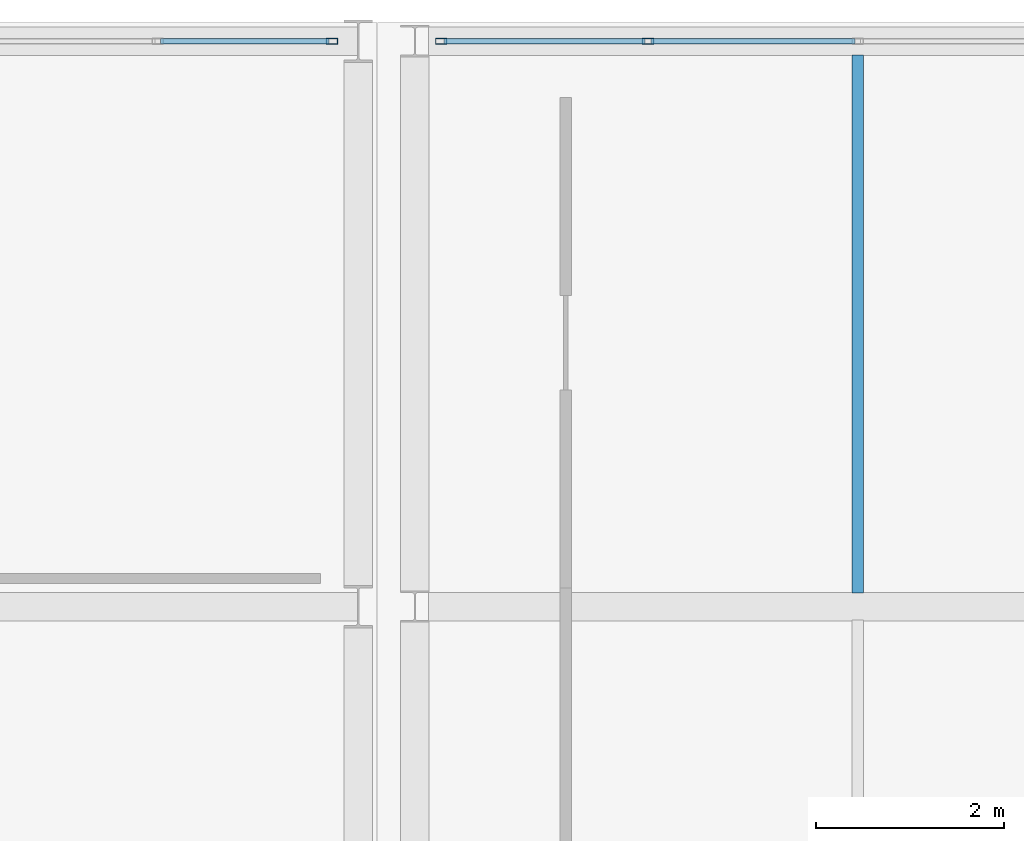
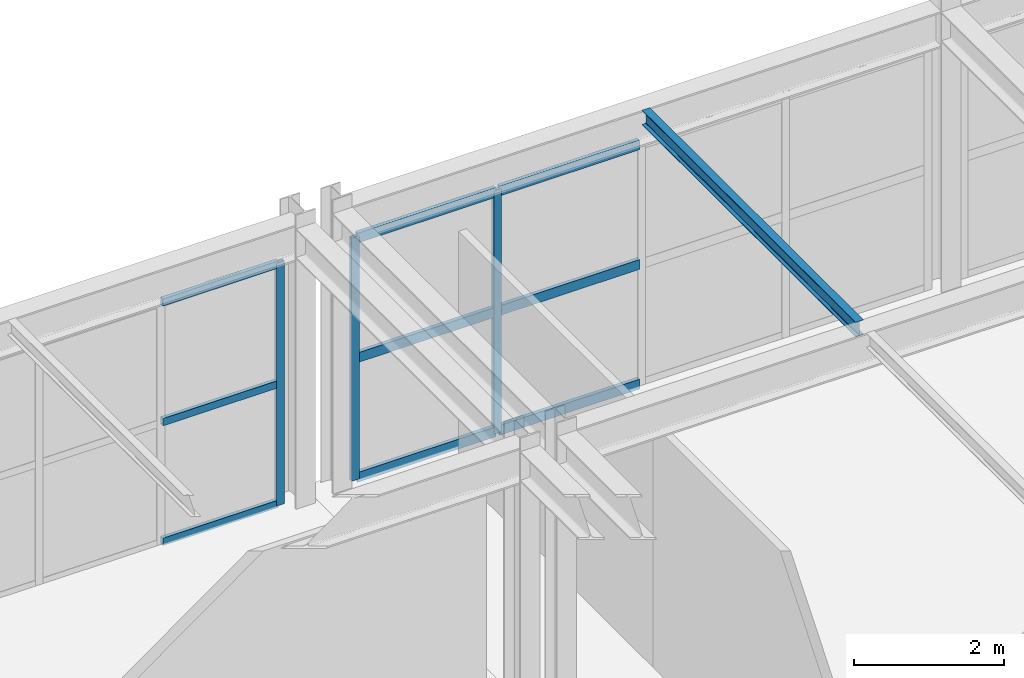
# One storey, part 83 of 112: 12 members, 1 beam, 2 elements without a shape of their own.
"""IFC4 building model written with IfcOpenShell, lengths in metres."""

from ifc_helpers import new_model, si_unit, direction, frame, origin, origin_2d, place, context, subcontext, project, spatial, hollow_rectangle, i_section, extrude, material, material_profile, profile_set, type_object, element, aggregate, save


model = new_model("IFC4")

# Units and contexts
model_context = context("Model", 3, precision=1e-05, world=origin(), true_north=direction((0.0, 1.0)))
body_context = subcontext(model_context, "Body", "Model", "MODEL_VIEW")
ifc_project = project(units=[si_unit("LENGTHUNIT", "METRE"), si_unit("AREAUNIT", "SQUARE_METRE"), si_unit("VOLUMEUNIT", "CUBIC_METRE"), si_unit("PLANEANGLEUNIT", "RADIAN"), si_unit("MASSUNIT", "GRAM", prefix="KILO")], contexts=[model_context])

# Site, building, storey
site_placement = place(None, origin())
site = spatial("IfcSite", under=ifc_project, at=site_placement, CompositionType="ELEMENT")
building_placement = place(site_placement, origin())
building = spatial("IfcBuilding", under=site, at=building_placement, Name="Kaldris Quays Convention Centre", CompositionType="ELEMENT")
storey_placement = place(building_placement, frame((0.0, 0.0, 16.800048828125)))
storey = spatial("IfcBuildingStorey", under=building, at=storey_placement, Name="L03", CompositionType="ELEMENT", Elevation=16.800048828125)

# Curtain wall, member
ifc_material_1 = material(Name="Anodized aluminium AW-6060 and triple glazing", Category="aluminium")
curtain_wall_type_1 = type_object("IfcCurtainWallType", Name="UNITISED CURTAIN WALL CW05", PredefinedType="NOTDEFINED", material=ifc_material_1)
curtain_wall_1_placement = place(storey_placement, origin())
curtain_wall_1 = element("IfcCurtainWall", 1, at=curtain_wall_1_placement, inside=storey, type_object=curtain_wall_type_1, Name="L03 Unitised Curtain Wall CW05 148", PredefinedType="NOTDEFINED")
ifc_material_2 = material(Name="Anodized aluminium AW-6060", Category="aluminium")
ifc_material_profile_1 = material_profile(ifc_material_2, hollow_rectangle(XDim=0.06005859375, YDim=0.1201171875, WallThickness=0.00390625, at=origin_2d()), Name="RHS 120x60x4")
ifc_profile_set_1 = profile_set([ifc_material_profile_1], Name="Anodized aluminium AW-6060")
member_type_1 = type_object("IfcMemberType", Name="CURTAIN MULLION CWM3", PredefinedType="MULLION", material=ifc_profile_set_1)
member_1_placement = place(storey_placement, frame((163.719970703125, 116.0, 0.0), z_axis=(0.0, 0.0, 1.0), x_axis=(0.0, 1.0, 0.0)))
member_1 = element("IfcMember", 2, at=member_1_placement, type_object=member_type_1, Name="CW05 mullion 10", PredefinedType="MULLION", context=body_context, shape_type="SweptSolid", body=[
    extrude(hollow_rectangle(XDim=0.06005859375, YDim=0.1201171875, WallThickness=0.00390625, at=origin_2d()), origin(), (0.0, 0.0, 1.0), 3.967041015625),
])

# Curtain wall, members
curtain_wall_type_2 = type_object("IfcCurtainWallType", Name="UNITISED CURTAIN WALL CW06", PredefinedType="NOTDEFINED", material=ifc_material_1)
curtain_wall_2_placement = place(storey_placement, origin())
curtain_wall_2 = element("IfcCurtainWall", 3, at=curtain_wall_2_placement, inside=storey, type_object=curtain_wall_type_2, Name="L03 Unitised Curtain Wall CW06 173", PredefinedType="NOTDEFINED")
member_2_placement = place(storey_placement, frame((164.8798828125, 116.0, 0.0), z_axis=(0.0, 0.0, 1.0), x_axis=(0.0, 1.0, 0.0)))
member_2 = element("IfcMember", 4, at=member_2_placement, type_object=member_type_1, Name="CW06 mullion 1", PredefinedType="MULLION", context=body_context, shape_type="SweptSolid", body=[
    extrude(hollow_rectangle(XDim=0.06005859375, YDim=0.1201171875, WallThickness=0.00390625, at=origin_2d()), origin(), (0.0, 0.0, 1.0), 3.967041015625),
])
member_3_placement = place(storey_placement, frame((167.074951171875, 116.0, 0.0), z_axis=(0.0, 0.0, 1.0), x_axis=(0.0, 1.0, 0.0)))
member_3 = element("IfcMember", 5, at=member_3_placement, type_object=member_type_1, Name="CW06 mullion 2", PredefinedType="MULLION", context=body_context, shape_type="SweptSolid", body=[
    extrude(hollow_rectangle(XDim=0.06005859375, YDim=0.1201171875, WallThickness=0.00390625, at=origin_2d()), origin(), (0.0, 0.0, 1.0), 3.967041015625),
])

# Member
ifc_material_profile_2 = material_profile(ifc_material_2, hollow_rectangle(XDim=0.06005859375, YDim=0.1201171875, WallThickness=0.00390625, at=origin_2d()), Name="RHS 120x60x4")
ifc_profile_set_2 = profile_set([ifc_material_profile_2], Name="Anodized aluminium AW-6060")
member_type_2 = type_object("IfcMemberType", Name="CURTAIN TRANSOM CWT1", PredefinedType="USERDEFINED", material=ifc_profile_set_2)
member_4_placement = place(storey_placement, frame((161.90234375, 116.0, 0.030029296875), z_axis=(1.0, 0.0, 0.0), x_axis=(0.0, 1.0, 0.0)))
member_4 = element("IfcMember", 6, at=member_4_placement, type_object=member_type_2, Name="CW05 transom 9.1", ObjectType="TRANSOM", PredefinedType="USERDEFINED", context=body_context, shape_type="SweptSolid", body=[
    extrude(hollow_rectangle(XDim=0.06005859375, YDim=0.1201171875, WallThickness=0.00390625, at=origin_2d()), origin(), (0.0, 0.0, 1.0), 1.78759765625),
])

member_5_placement = place(storey_placement, frame((161.90234375, 116.0, 1.98388671875), z_axis=(1.0, 0.0, 0.0), x_axis=(0.0, 1.0, 0.0)))
member_5 = element("IfcMember", 7, at=member_5_placement, type_object=member_type_2, Name="CW05 transom 9.2", ObjectType="TRANSOM", PredefinedType="USERDEFINED", context=body_context, shape_type="SweptSolid", body=[
    extrude(hollow_rectangle(XDim=0.06005859375, YDim=0.1201171875, WallThickness=0.00390625, at=origin_2d()), origin(), (0.0, 0.0, 1.0), 1.78759765625),
])

member_6_placement = place(storey_placement, frame((161.90234375, 116.0, 3.93701171875), z_axis=(1.0, 0.0, 0.0), x_axis=(0.0, 1.0, 0.0)))
member_6 = element("IfcMember", 8, at=member_6_placement, type_object=member_type_2, Name="CW05 transom 9.3", ObjectType="TRANSOM", PredefinedType="USERDEFINED", context=body_context, shape_type="SweptSolid", body=[
    extrude(hollow_rectangle(XDim=0.06005859375, YDim=0.1201171875, WallThickness=0.00390625, at=origin_2d()), origin(), (0.0, 0.0, 1.0), 1.78759765625),
])

aggregate(curtain_wall_1, [member_1, member_4, member_5, member_6])

ifc_material_profile_3 = material_profile(ifc_material_2, hollow_rectangle(XDim=0.06005859375, YDim=0.159912109375, WallThickness=0.00390625, at=origin_2d()), Name="RHS 160x60x4")
ifc_profile_set_3 = profile_set([ifc_material_profile_3], Name="Anodized aluminium AW-6060")
member_type_3 = type_object("IfcMemberType", Name="CURTAIN TRANSOM CWT2", PredefinedType="USERDEFINED", material=ifc_profile_set_3)
member_7_placement = place(storey_placement, frame((164.909912109375, 116.0, 0.030029296875), z_axis=(1.0, 0.0, 0.0), x_axis=(0.0, 1.0, 0.0)))
member_7 = element("IfcMember", 9, at=member_7_placement, type_object=member_type_3, Name="CW06 transom 1.1", ObjectType="TRANSOM", PredefinedType="USERDEFINED", context=body_context, shape_type="SweptSolid", body=[
    extrude(hollow_rectangle(XDim=0.06005859375, YDim=0.159912109375, WallThickness=0.00390625, at=origin_2d()), origin(), (0.0, 0.0, 1.0), 2.135009765625),
])

member_8_placement = place(storey_placement, frame((164.909912109375, 116.0, 1.98388671875), z_axis=(1.0, 0.0, 0.0), x_axis=(0.0, 1.0, 0.0)))
member_8 = element("IfcMember", 10, at=member_8_placement, type_object=member_type_3, Name="CW06 transom 1.2", ObjectType="TRANSOM", PredefinedType="USERDEFINED", context=body_context, shape_type="SweptSolid", body=[
    extrude(hollow_rectangle(XDim=0.06005859375, YDim=0.159912109375, WallThickness=0.00390625, at=origin_2d()), origin(), (0.0, 0.0, 1.0), 2.135009765625),
])

member_9_placement = place(storey_placement, frame((164.909912109375, 116.0, 3.93701171875), z_axis=(1.0, 0.0, 0.0), x_axis=(0.0, 1.0, 0.0)))
member_9 = element("IfcMember", 11, at=member_9_placement, type_object=member_type_3, Name="CW06 transom 1.3", ObjectType="TRANSOM", PredefinedType="USERDEFINED", context=body_context, shape_type="SweptSolid", body=[
    extrude(hollow_rectangle(XDim=0.06005859375, YDim=0.159912109375, WallThickness=0.00390625, at=origin_2d()), origin(), (0.0, 0.0, 1.0), 2.135009765625),
])

member_10_placement = place(storey_placement, frame((167.10498046875, 116.0, 0.030029296875), z_axis=(1.0, 0.0, 0.0), x_axis=(0.0, 1.0, 0.0)))
member_10 = element("IfcMember", 12, at=member_10_placement, type_object=member_type_3, Name="CW06 transom 2.1", ObjectType="TRANSOM", PredefinedType="USERDEFINED", context=body_context, shape_type="SweptSolid", body=[
    extrude(hollow_rectangle(XDim=0.06005859375, YDim=0.159912109375, WallThickness=0.00390625, at=origin_2d()), origin(), (0.0, 0.0, 1.0), 2.1650390625),
])

member_11_placement = place(storey_placement, frame((167.10498046875, 116.0, 1.98388671875), z_axis=(1.0, 0.0, 0.0), x_axis=(0.0, 1.0, 0.0)))
member_11 = element("IfcMember", 13, at=member_11_placement, type_object=member_type_3, Name="CW06 transom 2.2", ObjectType="TRANSOM", PredefinedType="USERDEFINED", context=body_context, shape_type="SweptSolid", body=[
    extrude(hollow_rectangle(XDim=0.06005859375, YDim=0.159912109375, WallThickness=0.00390625, at=origin_2d()), origin(), (0.0, 0.0, 1.0), 2.1650390625),
])

member_12_placement = place(storey_placement, frame((167.10498046875, 116.0, 3.93701171875), z_axis=(1.0, 0.0, 0.0), x_axis=(0.0, 1.0, 0.0)))
member_12 = element("IfcMember", 14, at=member_12_placement, type_object=member_type_3, Name="CW06 transom 2.3", ObjectType="TRANSOM", PredefinedType="USERDEFINED", context=body_context, shape_type="SweptSolid", body=[
    extrude(hollow_rectangle(XDim=0.06005859375, YDim=0.159912109375, WallThickness=0.00390625, at=origin_2d()), origin(), (0.0, 0.0, 1.0), 2.1650390625),
])

aggregate(curtain_wall_2, [member_2, member_3, member_7, member_8, member_9, member_10, member_11, member_12])

# Beam
ifc_material_3 = material(Name="Steel S355J2", Category="steel")
ifc_material_profile_4 = material_profile(ifc_material_3, i_section(OverallWidth=0.1201171875, OverallDepth=0.239990234375, WebThickness=0.006103515625, FlangeThickness=0.009765625, FilletRadius=0.014892578125, at=origin_2d()), Name="IPE 240")
ifc_profile_set_4 = profile_set([ifc_material_profile_4], Name="Steel S355J2")
beam_type = type_object("IfcBeamType", Name="STRUCTURAL BEAM JT05", PredefinedType="JOIST", material=ifc_profile_set_4)
beam_placement = place(storey_placement, frame((169.300048828125, 110.14404296875, 4.4619140625), z_axis=(0.0, 1.0, 0.0), x_axis=(-1.0, 0.0, 0.0)))
element("IfcBeam", 15, at=beam_placement, inside=storey, type_object=beam_type, Name="L03 Secondary Joist JT05 33", PredefinedType="JOIST", context=body_context, shape_type="SweptSolid", body=[
    extrude(i_section(OverallWidth=0.1201171875, OverallDepth=0.239990234375, WebThickness=0.006103515625, FlangeThickness=0.009765625, FilletRadius=0.014892578125, at=origin_2d()), origin(), (0.0, 0.0, 1.0), 5.7119140625),
])

save(model, "model.ifc")
